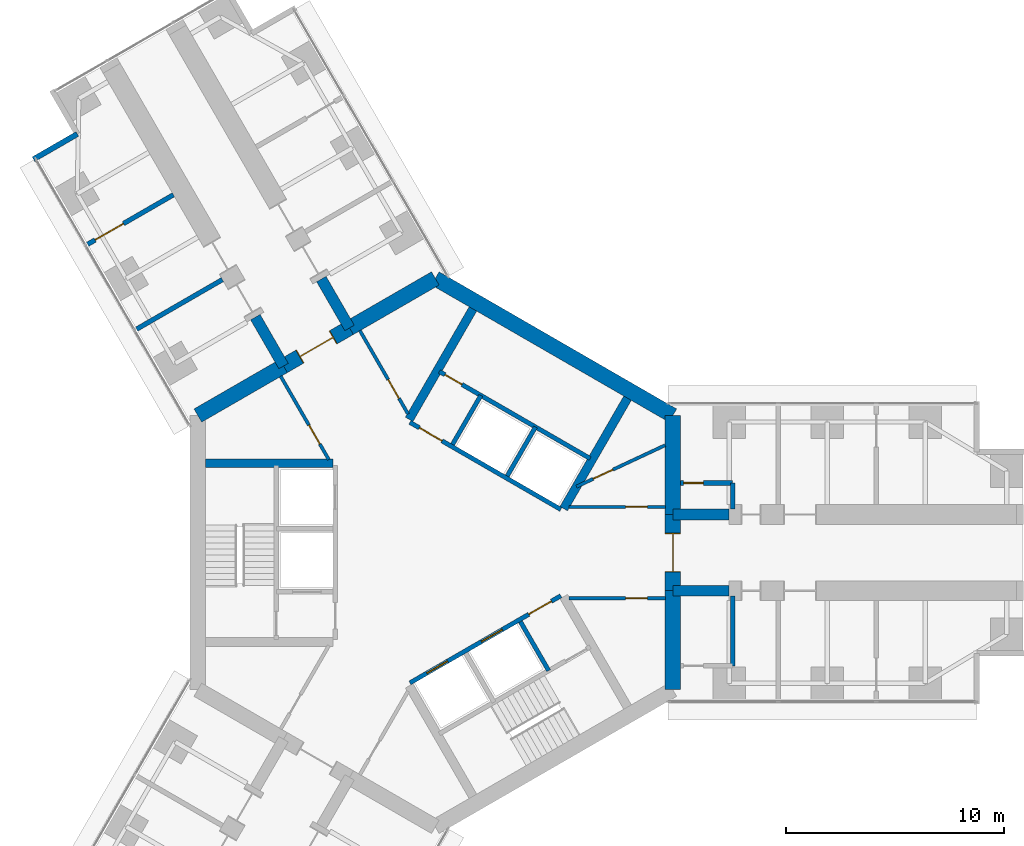
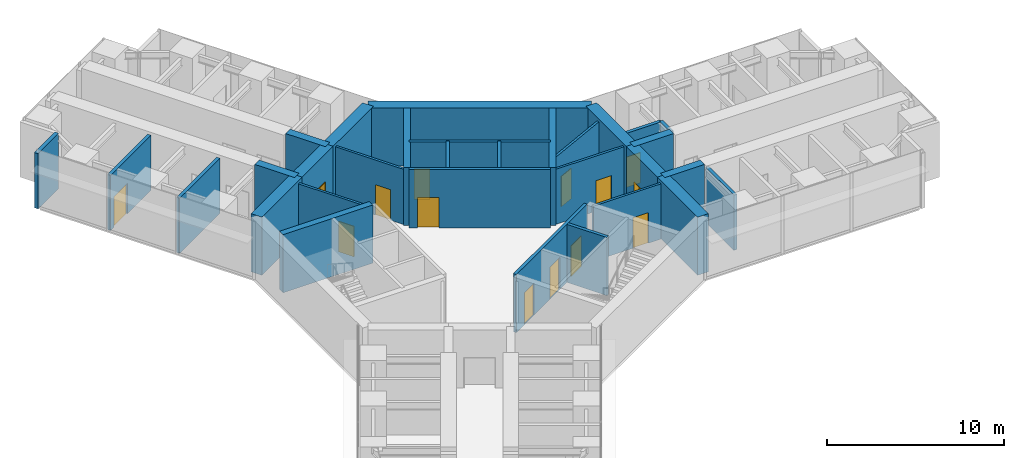
# One storey, part 17 of 22: 31 walls, 14 doors, 14 openings.
"""IFC4 building model written with IfcOpenShell, lengths in metres."""

from ifc_helpers import new_model, si_unit, direction, frame, frame_2d, origin, place, context, subcontext, project, spatial, rectangle, extrude, material, layer, layer_set, type_object, element, fill, save


model = new_model("IFC4")

# Units and contexts
model_context = context("Model", 3, precision=1e-05, world=origin(), true_north=direction((0.0, 1.0)))
body_context = subcontext(model_context, "Body", "Model", "MODEL_VIEW")
ifc_project = project(units=[si_unit("LENGTHUNIT", "METRE"), si_unit("AREAUNIT", "SQUARE_METRE"), si_unit("VOLUMEUNIT", "CUBIC_METRE"), si_unit("PLANEANGLEUNIT", "RADIAN"), si_unit("MASSUNIT", "GRAM", prefix="KILO")], contexts=[model_context])

# Site, building, storey
site_placement = place(None, origin())
site = spatial("IfcSite", under=ifc_project, at=site_placement, CompositionType="ELEMENT")
building_placement = place(site_placement, origin())
building = spatial("IfcBuilding", under=site, at=building_placement, Name="Upepo Twin Towers", CompositionType="ELEMENT")
storey_placement = place(building_placement, frame((0.0, 0.0, 44.5)))
storey = spatial("IfcBuildingStorey", under=building, at=storey_placement, Name="L10", CompositionType="ELEMENT", Elevation=44.5)

# Wall, opening, door
ifc_material_1 = material(Name="Concrete blockwork, plastered both faces", Category="masonry")
ifc_layer_1 = layer(ifc_material_1, 0.215087890625)
ifc_layer_set_1 = layer_set([ifc_layer_1], Name="Blockwork partition 215")
wall_type_1 = type_object("IfcWallType", Name="Blockwork partition 215", PredefinedType="PARTITIONING", material=ifc_layer_set_1)
wall_1_placement = place(storey_placement, frame((11.258056640625, 3.199951171875, 0.0), z_axis=(0.0, 0.0, 1.0), x_axis=(1.0, 0.0, 0.0)))
wall_1 = element("IfcWall", 1, at=wall_1_placement, inside=storey, type_object=wall_type_1, Name="T1 WC bay partition AL at 11.26", PredefinedType="PARTITIONING", context=body_context, shape_type="SweptSolid", body=[
    extrude(rectangle(XDim=2.39990234375, YDim=0.215087890625, at=frame_2d((1.199951171875, 0.0))), origin(), (0.0, 0.0, 1.0), 3.800048828125),
])
opening_1_placement = place(wall_1_placement, frame((0.14990234375, 0.0, 0.0)))
opening_1 = element("IfcOpeningElement", 2, at=opening_1_placement, cuts=wall_1, Name="Opening D14", PredefinedType="OPENING", context=body_context, shape_type="SweptSolid", body=[
    extrude(rectangle(XDim=0.89990234375, YDim=2.10009765625, at=frame_2d((0.449951171875, 1.050048828125))), frame((0.0, 0.117431640625, 0.0), z_axis=(0.0, -1.0, 0.0), x_axis=(1.0, 0.0, 0.0)), (0.0, 0.0, 1.0), 0.235107421875),
])
ifc_material_2 = material(Name="Timber doorset", Category="wood")
door_type_1 = type_object("IfcDoorType", Name="Office door 900 FD30", OperationType="SINGLE_SWING_LEFT", PredefinedType="DOOR", material=ifc_material_2)
door_1_placement = place(opening_1_placement, origin())
door_1 = element("IfcDoor", 3, at=door_1_placement, inside=storey, type_object=door_type_1, Name="T1 L10 WC bay inner room door", OperationType="SINGLE_SWING_LEFT", OverallHeight=2.10009765625, OverallWidth=0.89990234375, PredefinedType="DOOR", context=body_context, shape_type="SweptSolid", body=[
    extrude(rectangle(XDim=0.89990234375, YDim=2.10009765625, at=frame_2d((0.449951171875, 1.050048828125))), frame((0.0, 0.02490234375, 0.0), z_axis=(0.0, -1.0, 0.0), x_axis=(1.0, 0.0, 0.0)), (0.0, 0.0, 1.0), 0.050048828125),
])
fill(opening_1, door_1)

# Walls
wall_2_placement = place(storey_placement, frame((13.657958984375, 2.0, 0.0), z_axis=(0.0, 0.0, 1.0), x_axis=(0.0, 1.0, 0.0)))
element("IfcWall", 4, at=wall_2_placement, inside=storey, type_object=wall_type_1, Name="T1 WC bay partition AL end at 13.66", PredefinedType="PARTITIONING", context=body_context, shape_type="SweptSolid", body=[
    extrude(rectangle(XDim=1.199951171875, YDim=0.215087890625, at=frame_2d((0.60009765625, 0.0))), origin(), (0.0, 0.0, 1.0), 3.800048828125),
])
wall_3_placement = place(storey_placement, frame((13.657958984375, -2.0, 0.0), z_axis=(0.0, 0.0, 1.0), x_axis=(0.0, -1.0, 0.0)))
element("IfcWall", 5, at=wall_3_placement, inside=storey, type_object=wall_type_1, Name="T1 WC bay partition AR end at 13.66", PredefinedType="PARTITIONING", context=body_context, shape_type="SweptSolid", body=[
    extrude(rectangle(XDim=3.199951171875, YDim=0.215087890625, at=frame_2d((1.60009765625, 0.0))), origin(), (0.0, 0.0, 1.0), 3.800048828125),
])
wall_4_placement = place(storey_placement, frame((-9.7802734375, 12.539794921875, 0.0), z_axis=(0.0, 0.0, 1.0), x_axis=(-0.866035472144, -0.499982560684, 0.0)))
element("IfcWall", 6, at=wall_4_placement, inside=storey, type_object=wall_type_1, Name="T1 partition BL at 15.75", PredefinedType="PARTITIONING", context=body_context, shape_type="SweptSolid", body=[
    extrude(rectangle(XDim=4.550048828125, YDim=0.215087890625, at=frame_2d((2.27490234375, 0.0))), origin(), (0.0, 0.0, 1.0), 3.800048828125),
])

# Wall, opening, door
wall_5_placement = place(storey_placement, frame((-12.0302734375, 16.43701171875, 0.0), z_axis=(0.0, 0.0, 1.0), x_axis=(-0.866035472144, -0.499982560684, 0.0)))
wall_5 = element("IfcWall", 7, at=wall_5_placement, inside=storey, type_object=wall_type_1, Name="T1 partition BL at 20.25", PredefinedType="PARTITIONING", context=body_context, shape_type="SweptSolid", body=[
    extrude(rectangle(XDim=4.550048828125, YDim=0.215087890625, at=frame_2d((2.27490234375, 0.0))), origin(), (0.0, 0.0, 1.0), 3.800048828125),
])
opening_2_placement = place(wall_5_placement, frame((2.64990234375, 0.0, 0.0)))
opening_2 = element("IfcOpeningElement", 8, at=opening_2_placement, cuts=wall_5, Name="Opening D13", PredefinedType="OPENING", context=body_context, shape_type="SweptSolid", body=[
    extrude(rectangle(XDim=1.5, YDim=2.10009765625, at=frame_2d((0.75, 1.050048828125))), frame((0.0, 0.117431640625, 0.0), z_axis=(0.0, -1.0, 0.0), x_axis=(1.0, 0.0, 0.0)), (0.0, 0.0, 1.0), 0.235107421875),
])
ifc_material_3 = material(Name="Timber doorset", Category="wood")
door_type_2 = type_object("IfcDoorType", Name="Double door 1500 FD30", OperationType="DOUBLE_DOOR_SINGLE_SWING", PredefinedType="DOOR", material=ifc_material_3)
door_2_placement = place(opening_2_placement, origin())
door_2 = element("IfcDoor", 9, at=door_2_placement, inside=storey, type_object=door_type_2, Name="T1 L10 connecting door", OperationType="DOUBLE_DOOR_SINGLE_SWING", OverallHeight=2.10009765625, OverallWidth=1.5, PredefinedType="DOOR", context=body_context, shape_type="SweptSolid", body=[
    extrude(rectangle(XDim=1.5, YDim=2.10009765625, at=frame_2d((0.75, 1.050048828125))), frame((0.0, 0.02490234375, 0.0), z_axis=(0.0, -1.0, 0.0), x_axis=(1.0, 0.0, 0.0)), (0.0, 0.0, 1.0), 0.050048828125),
])
fill(opening_2, door_2)

# Walls
ifc_material_4 = material(Name="Concrete C60/75", Category="concrete")
ifc_layer_2 = layer(ifc_material_4, 0.5)
ifc_layer_set_2 = layer_set([ifc_layer_2], Name="Concrete C60/75")
wall_type_2 = type_object("IfcWallType", Name="Buttress wall 500 RC", PredefinedType="SHEAR", material=ifc_layer_set_2)
for number, where, z_axis, x_axis, name in (
    (10, (10.908447265625, 1.75, 0.0), (0.0, 0.0, 1.0), (1.0, 0.0, 0.0), "T1 wing A buttress wall L"),
    (11, (10.908447265625, -1.75, 0.0), (0.0, 0.0, 1.0), (1.0, 0.0, 0.0), "T1 wing A buttress wall R"),
):
    element("IfcWall", number, at=place(storey_placement, frame(where, z_axis=z_axis, x_axis=x_axis)), inside=storey, type_object=wall_type_2, Name=name, PredefinedType="SHEAR", context=body_context, shape_type="SweptSolid", body=[
        extrude(rectangle(XDim=2.591552734375, YDim=0.5, at=frame_2d((1.2958984375, 0.0))), origin(), (0.0, 0.0, 1.0), 4.0),
    ])
for number, where, z_axis, x_axis, name in (
    (12, (-6.9697265625, 8.57177734375, 0.0), (0.0, 0.0, 1.0), (-0.499988811324, 0.866031863473, 0.0), "T1 wing B buttress wall L"),
    (13, (-3.938720703125, 10.32177734375, 0.0), (0.0, 0.0, 1.0), (-0.499918158782, 0.866072649678, 0.0), "T1 wing B buttress wall R"),
):
    element("IfcWall", number, at=place(storey_placement, frame(where, z_axis=z_axis, x_axis=x_axis)), inside=storey, type_object=wall_type_2, Name=name, PredefinedType="SHEAR", context=body_context, shape_type="SweptSolid", body=[
        extrude(rectangle(XDim=2.591796875, YDim=0.5, at=frame_2d((1.2958984375, 0.0))), origin(), (0.0, 0.0, 1.0), 4.0),
    ])
ifc_material_5 = material(Name="Concrete C60/75", Category="concrete")
ifc_layer_3 = layer(ifc_material_5, 0.699951171875)
ifc_layer_set_3 = layer_set([ifc_layer_3], Name="Concrete C60/75")
wall_type_3 = type_object("IfcWallType", Name="Core wall 700 RC", PredefinedType="SHEAR", material=ifc_layer_set_3)
wall_6_placement = place(storey_placement, frame((10.908447265625, -6.2978515625, 0.0), z_axis=(0.0, 0.0, 1.0), x_axis=(0.0, 1.0, 0.0)))
element("IfcWall", 14, at=wall_6_placement, inside=storey, type_object=wall_type_3, Name="T1 core wall 000 R", PredefinedType="SHEAR", context=body_context, shape_type="SweptSolid", body=[
    extrude(rectangle(XDim=4.5478515625, YDim=0.699951171875, at=frame_2d((2.27392578125, 0.0))), origin(), (0.0, 0.0, 1.0), 4.0),
])

# Wall, opening, door
wall_7_placement = place(storey_placement, frame((10.908447265625, -1.75, 0.0), z_axis=(0.0, 0.0, 1.0), x_axis=(0.0, 1.0, 0.0)))
wall_7 = element("IfcWall", 15, at=wall_7_placement, inside=storey, type_object=wall_type_3, Name="T1 core wall 000", PredefinedType="SHEAR", context=body_context, shape_type="SweptSolid", body=[
    extrude(rectangle(XDim=3.5, YDim=0.699951171875, at=frame_2d((1.75, 0.0))), origin(), (0.0, 0.0, 1.0), 4.0),
])
opening_3_placement = place(wall_7_placement, frame((0.85009765625, 0.0, 0.0)))
opening_3 = element("IfcOpeningElement", 16, at=opening_3_placement, cuts=wall_7, Name="Opening D2", PredefinedType="OPENING", context=body_context, shape_type="SweptSolid", body=[
    extrude(rectangle(XDim=1.800048828125, YDim=2.10009765625, at=frame_2d((0.89990234375, 1.050048828125))), frame((0.0, 0.35986328125, 0.0), z_axis=(0.0, -1.0, 0.0), x_axis=(1.0, 0.0, 0.0)), (0.0, 0.0, 1.0), 0.719970703125),
])
ifc_material_6 = material(Name="Timber doorset", Category="wood")
door_type_3 = type_object("IfcDoorType", Name="Corridor double door 1800 FD60", OperationType="DOUBLE_DOOR_DOUBLE_SWING", PredefinedType="DOOR", material=ifc_material_6)
door_3_placement = place(opening_3_placement, origin())
door_3 = element("IfcDoor", 17, at=door_3_placement, inside=storey, type_object=door_type_3, Name="T1 L10 wing A corridor door", OperationType="DOUBLE_DOOR_DOUBLE_SWING", OverallHeight=2.10009765625, OverallWidth=1.800048828125, PredefinedType="DOOR", context=body_context, shape_type="SweptSolid", body=[
    extrude(rectangle(XDim=1.720048828125, YDim=2.06009765625, at=frame_2d((0.89990234375, 1.030029296875))), frame((0.0, 0.02490234375, 0.0), z_axis=(0.0, -1.0, 0.0), x_axis=(1.0, 0.0, 0.0)), (0.0, 0.0, 1.0), 0.050048828125),
    extrude(rectangle(XDim=0.04, YDim=2.10009765625, at=frame_2d((0.02001953125, 1.050048828125))), frame((0.0, 0.349609375, 0.0), z_axis=(0.0, -1.0, 0.0), x_axis=(1.0, 0.0, 0.0)), (0.0, 0.0, 1.0), 0.699462890625),
    extrude(rectangle(XDim=0.04, YDim=2.10009765625, at=frame_2d((1.780029296875, 1.050048828125))), frame((0.0, 0.349609375, 0.0), z_axis=(0.0, -1.0, 0.0), x_axis=(1.0, 0.0, 0.0)), (0.0, 0.0, 1.0), 0.699462890625),
    extrude(rectangle(XDim=1.720048828125, YDim=0.04, at=frame_2d((0.89990234375, 2.080078125))), frame((0.0, 0.349609375, 0.0), z_axis=(0.0, -1.0, 0.0), x_axis=(1.0, 0.0, 0.0)), (0.0, 0.0, 1.0), 0.699462890625),
])
fill(opening_3, door_3)

# Walls
wall_8_placement = place(storey_placement, frame((10.908447265625, 1.75, 0.0), z_axis=(0.0, 0.0, 1.0), x_axis=(0.0, 1.0, 0.0)))
element("IfcWall", 18, at=wall_8_placement, inside=storey, type_object=wall_type_3, Name="T1 core wall 000 L", PredefinedType="SHEAR", context=body_context, shape_type="SweptSolid", body=[
    extrude(rectangle(XDim=4.5478515625, YDim=0.699951171875, at=frame_2d((2.27392578125, 0.0))), origin(), (0.0, 0.0, 1.0), 4.0),
])
wall_9_placement = place(storey_placement, frame((10.908447265625, 6.2978515625, 0.0), z_axis=(0.0, 0.0, 1.0), x_axis=(-0.866021940709, 0.500005998175, 0.0)))
element("IfcWall", 19, at=wall_9_placement, inside=storey, type_object=wall_type_3, Name="T1 core wall 060", PredefinedType="SHEAR", context=body_context, shape_type="SweptSolid", body=[
    extrude(rectangle(XDim=12.595947265625, YDim=0.699951171875, at=frame_2d((6.2978515625, 0.0))), origin(), (0.0, 0.0, 1.0), 4.0),
])
wall_10_placement = place(storey_placement, frame((0.0, 12.595947265625, 0.0), z_axis=(0.0, 0.0, 1.0), x_axis=(-0.866011268655, -0.500024481964, 0.0)))
element("IfcWall", 20, at=wall_10_placement, inside=storey, type_object=wall_type_3, Name="T1 core wall 120 R", PredefinedType="SHEAR", context=body_context, shape_type="SweptSolid", body=[
    extrude(rectangle(XDim=4.548095703125, YDim=0.699951171875, at=frame_2d((2.27392578125, 0.0))), origin(), (0.0, 0.0, 1.0), 4.0),
])

# Wall, opening, door
wall_11_placement = place(storey_placement, frame((-3.938720703125, 10.32177734375, 0.0), z_axis=(0.0, 0.0, 1.0), x_axis=(-0.866019471182, -0.500010275428, 0.0)))
wall_11 = element("IfcWall", 21, at=wall_11_placement, inside=storey, type_object=wall_type_3, Name="T1 core wall 120", PredefinedType="SHEAR", context=body_context, shape_type="SweptSolid", body=[
    extrude(rectangle(XDim=3.5, YDim=0.699951171875, at=frame_2d((1.75, 0.0))), origin(), (0.0, 0.0, 1.0), 4.0),
])
opening_4_placement = place(wall_11_placement, frame((0.85009765625, 0.0, 0.0)))
opening_4 = element("IfcOpeningElement", 22, at=opening_4_placement, cuts=wall_11, Name="Opening D2", PredefinedType="OPENING", context=body_context, shape_type="SweptSolid", body=[
    extrude(rectangle(XDim=1.800048828125, YDim=2.10009765625, at=frame_2d((0.89990234375, 1.050048828125))), frame((0.0, 0.35986328125, 0.0), z_axis=(0.0, -1.0, 0.0), x_axis=(1.0, 0.0, 0.0)), (0.0, 0.0, 1.0), 0.719970703125),
])
door_4_placement = place(opening_4_placement, origin())
door_4 = element("IfcDoor", 23, at=door_4_placement, inside=storey, type_object=door_type_3, Name="T1 L10 wing B corridor door", OperationType="DOUBLE_DOOR_DOUBLE_SWING", OverallHeight=2.10009765625, OverallWidth=1.800048828125, PredefinedType="DOOR", context=body_context, shape_type="SweptSolid", body=[
    extrude(rectangle(XDim=1.720048828125, YDim=2.06009765625, at=frame_2d((0.89990234375, 1.030029296875))), frame((0.0, 0.02490234375, 0.0), z_axis=(0.0, -1.0, 0.0), x_axis=(1.0, 0.0, 0.0)), (0.0, 0.0, 1.0), 0.050048828125),
    extrude(rectangle(XDim=0.04, YDim=2.10009765625, at=frame_2d((0.02001953125, 1.050048828125))), frame((0.0, 0.349609375, 0.0), z_axis=(0.0, -1.0, 0.0), x_axis=(1.0, 0.0, 0.0)), (0.0, 0.0, 1.0), 0.699462890625),
    extrude(rectangle(XDim=0.04, YDim=2.10009765625, at=frame_2d((1.780029296875, 1.050048828125))), frame((0.0, 0.349609375, 0.0), z_axis=(0.0, -1.0, 0.0), x_axis=(1.0, 0.0, 0.0)), (0.0, 0.0, 1.0), 0.699462890625),
    extrude(rectangle(XDim=1.720048828125, YDim=0.04, at=frame_2d((0.89990234375, 2.080078125))), frame((0.0, 0.349609375, 0.0), z_axis=(0.0, -1.0, 0.0), x_axis=(1.0, 0.0, 0.0)), (0.0, 0.0, 1.0), 0.699462890625),
])
fill(opening_4, door_4)

# Walls
wall_12_placement = place(storey_placement, frame((-6.9697265625, 8.57177734375, 0.0), z_axis=(0.0, 0.0, 1.0), x_axis=(-0.866034513004, -0.499984222037, 0.0)))
element("IfcWall", 24, at=wall_12_placement, inside=storey, type_object=wall_type_3, Name="T1 core wall 120 L", PredefinedType="SHEAR", context=body_context, shape_type="SweptSolid", body=[
    extrude(rectangle(XDim=4.548095703125, YDim=0.699951171875, at=frame_2d((2.27392578125, 0.0))), origin(), (0.0, 0.0, 1.0), 4.0),
])
ifc_material_7 = material(Name="Blockwork with anodised aluminium cladding", Category="masonry")
ifc_layer_4 = layer(ifc_material_7, 0.25)
ifc_layer_set_4 = layer_set([ifc_layer_4], Name="Notch cladding wall 250, pale metal")
wall_type_4 = type_object("IfcWallType", Name="Notch cladding wall 250, pale metal", PredefinedType="STANDARD", material=ifc_layer_set_4)
wall_13_placement = place(storey_placement, frame((-18.456298828125, 18.0673828125, 0.0), z_axis=(0.0, 0.0, 1.0), x_axis=(0.865998469481, 0.500046648681, 0.0)))
element("IfcWall", 25, at=wall_13_placement, inside=storey, type_object=wall_type_4, Name="T1 L10 wing B notch wall L1", PredefinedType="STANDARD", context=body_context, shape_type="SweptSolid", body=[
    extrude(rectangle(XDim=2.324951171875, YDim=0.25, at=frame_2d((1.16259765625, 0.0))), origin(), (0.0, 0.0, 1.0), 3.800048828125),
])

# Wall, opening, door
ifc_material_8 = material(Name="Concrete C40/50", Category="concrete")
ifc_layer_5 = layer(ifc_material_8, 0.199951171875)
ifc_layer_set_5 = layer_set([ifc_layer_5], Name="Concrete C40/50")
wall_type_5 = type_object("IfcWallType", Name="Shaft wall 200 RC", PredefinedType="SHEAR", material=ifc_layer_set_5)
wall_14_placement = place(storey_placement, frame((5.76416015625, 1.983642578125, 0.0), z_axis=(0.0, 0.0, 1.0), x_axis=(-0.866026010844, 0.49999894854, 0.0)))
wall_14 = element("IfcWall", 26, at=wall_14_placement, inside=storey, type_object=wall_type_5, Name="T1 core W60 front wall", PredefinedType="SHEAR", context=body_context, shape_type="SweptSolid", body=[
    extrude(rectangle(XDim=8.0, YDim=0.199951171875, at=frame_2d((4.0, 0.0))), origin(), (0.0, 0.0, 1.0), 4.0),
])
opening_5_placement = place(wall_14_placement, frame((6.300048828125, 0.0, 0.0)))
opening_5 = element("IfcOpeningElement", 27, at=opening_5_placement, cuts=wall_14, Name="Opening D4", PredefinedType="OPENING", context=body_context, shape_type="SweptSolid", body=[
    extrude(rectangle(XDim=1.199951171875, YDim=2.10009765625, at=frame_2d((0.60009765625, 1.050048828125))), frame((0.0, 0.10986328125, 0.0), z_axis=(0.0, -1.0, 0.0), x_axis=(1.0, 0.0, 0.0)), (0.0, 0.0, 1.0), 0.219970703125),
])
ifc_material_9 = material(Name="Timber doorset", Category="wood")
door_type_4 = type_object("IfcDoorType", Name="Lobby door 1200 FD60", OperationType="SINGLE_SWING_LEFT", PredefinedType="DOOR", material=ifc_material_9)
door_5_placement = place(opening_5_placement, origin())
door_5 = element("IfcDoor", 28, at=door_5_placement, inside=storey, type_object=door_type_4, Name="T1 L10 W60 lobby door", OperationType="SINGLE_SWING_RIGHT", OverallHeight=2.10009765625, OverallWidth=1.199951171875, PredefinedType="DOOR", context=body_context, shape_type="SweptSolid", body=[
    extrude(rectangle(XDim=1.199951171875, YDim=2.10009765625, at=frame_2d((0.60009765625, 1.050048828125))), frame((0.0, 0.02490234375, 0.0), z_axis=(0.0, -1.0, 0.0), x_axis=(1.0, 0.0, 0.0)), (0.0, 0.0, 1.0), 0.050048828125),
])
fill(opening_5, door_5)

# Walls
for number, where, z_axis, x_axis, name in (
    (29, (3.302734375, 3.520263671875, 0.0), (0.0, 0.0, 1.0), (0.499936506574, 0.866062058628, 0.0), "T1 core W60 shaft divider"),
    (30, (0.791259765625, 4.97021484375, 0.0), (0.0, 0.0, 1.0), (0.499936506574, 0.866062058628, 0.0), "T1 core W60 lobby wall"),
):
    element("IfcWall", number, at=place(storey_placement, frame(where, z_axis=z_axis, x_axis=x_axis)), inside=storey, type_object=wall_type_5, Name=name, PredefinedType="SHEAR", context=body_context, shape_type="SweptSolid", body=[
        extrude(rectangle(XDim=2.599853515625, YDim=0.199951171875, at=frame_2d((1.2998046875, 0.0))), origin(), (0.0, 0.0, 1.0), 4.0),
    ])

# Wall, opening, door
wall_15_placement = place(storey_placement, frame((7.114013671875, 4.322021484375, 0.0), z_axis=(0.0, 0.0, 1.0), x_axis=(-0.866026010844, 0.49999894854, 0.0)))
wall_15 = element("IfcWall", 31, at=wall_15_placement, inside=storey, type_object=wall_type_5, Name="T1 core W60 stair wall", PredefinedType="SHEAR", context=body_context, shape_type="SweptSolid", body=[
    extrude(rectangle(XDim=8.0, YDim=0.199951171875, at=frame_2d((4.0, 0.0))), origin(), (0.0, 0.0, 1.0), 4.0),
])
opening_6_placement = place(wall_15_placement, frame((6.800048828125, 0.0, 0.0)))
opening_6 = element("IfcOpeningElement", 32, at=opening_6_placement, cuts=wall_15, Name="Opening D9", PredefinedType="OPENING", context=body_context, shape_type="SweptSolid", body=[
    extrude(rectangle(XDim=0.89990234375, YDim=2.10009765625, at=frame_2d((0.449951171875, 1.050048828125))), frame((0.0, 0.10986328125, 0.0), z_axis=(0.0, -1.0, 0.0), x_axis=(1.0, 0.0, 0.0)), (0.0, 0.0, 1.0), 0.219970703125),
])
ifc_material_10 = material(Name="Timber doorset", Category="wood")
door_type_5 = type_object("IfcDoorType", Name="Riser door 900 FD60", OperationType="SINGLE_SWING_LEFT", PredefinedType="DOOR", material=ifc_material_10)
door_6_placement = place(opening_6_placement, origin())
door_6 = element("IfcDoor", 33, at=door_6_placement, inside=storey, type_object=door_type_5, Name="T1 L10 riser door", OperationType="SINGLE_SWING_RIGHT", OverallHeight=2.10009765625, OverallWidth=0.89990234375, PredefinedType="DOOR", context=body_context, shape_type="SweptSolid", body=[
    extrude(rectangle(XDim=0.89990234375, YDim=2.10009765625, at=frame_2d((0.449951171875, 1.050048828125))), frame((0.0, 0.02490234375, 0.0), z_axis=(0.0, -1.0, 0.0), x_axis=(1.0, 0.0, 0.0)), (0.0, 0.0, 1.0), 0.050048828125),
])
fill(opening_6, door_6)

# Wall, openings, doors
wall_16_placement = place(storey_placement, frame((-1.1640625, -5.983642578125, 0.0), z_axis=(0.0, 0.0, 1.0), x_axis=(0.866026010844, 0.49999894854, 0.0)))
wall_16 = element("IfcWall", 34, at=wall_16_placement, inside=storey, type_object=wall_type_5, Name="T1 core W300 front wall", PredefinedType="SHEAR", context=body_context, shape_type="SweptSolid", body=[
    extrude(rectangle(XDim=8.0, YDim=0.199951171875, at=frame_2d((4.0, 0.0))), origin(), (0.0, 0.0, 1.0), 4.0),
])
opening_7_placement = place(wall_16_placement, frame((6.300048828125, 0.0, 0.0)))
opening_7 = element("IfcOpeningElement", 35, at=opening_7_placement, cuts=wall_16, Name="Opening D4", PredefinedType="OPENING", context=body_context, shape_type="SweptSolid", body=[
    extrude(rectangle(XDim=1.199951171875, YDim=2.10009765625, at=frame_2d((0.60009765625, 1.050048828125))), frame((0.0, 0.10986328125, 0.0), z_axis=(0.0, -1.0, 0.0), x_axis=(1.0, 0.0, 0.0)), (0.0, 0.0, 1.0), 0.219970703125),
])
opening_8_placement = place(wall_16_placement, frame((0.89990234375, 0.0, 0.0)))
opening_8 = element("IfcOpeningElement", 36, at=opening_8_placement, cuts=wall_16, Name="Opening LD1", PredefinedType="OPENING", context=body_context, shape_type="SweptSolid", body=[
    extrude(rectangle(XDim=1.10009765625, YDim=2.199951171875, at=frame_2d((0.550048828125, 1.10009765625))), frame((0.0, 0.10986328125, 0.0), z_axis=(0.0, -1.0, 0.0), x_axis=(1.0, 0.0, 0.0)), (0.0, 0.0, 1.0), 0.219970703125),
])
opening_9_placement = place(wall_16_placement, frame((3.800048828125, 0.0, 0.0)))
opening_9 = element("IfcOpeningElement", 37, at=opening_9_placement, cuts=wall_16, Name="Opening LD1", PredefinedType="OPENING", context=body_context, shape_type="SweptSolid", body=[
    extrude(rectangle(XDim=1.10009765625, YDim=2.199951171875, at=frame_2d((0.550048828125, 1.10009765625))), frame((0.0, 0.10986328125, 0.0), z_axis=(0.0, -1.0, 0.0), x_axis=(1.0, 0.0, 0.0)), (0.0, 0.0, 1.0), 0.219970703125),
])
ifc_material_11 = material(Name="Steel doorset", Category="steel")
door_type_6 = type_object("IfcDoorType", Name="Lift landing door 1100", OperationType="DOUBLE_DOOR_SLIDING", PredefinedType="DOOR", material=ifc_material_11)
door_7_placement = place(opening_8_placement, origin())
door_7 = element("IfcDoor", 38, at=door_7_placement, inside=storey, type_object=door_type_6, Name="T1 L10 lift LL1 landing door", OperationType="DOUBLE_DOOR_SLIDING", OverallHeight=2.199951171875, OverallWidth=1.10009765625, PredefinedType="DOOR", context=body_context, shape_type="SweptSolid", body=[
    extrude(rectangle(XDim=1.10009765625, YDim=2.199951171875, at=frame_2d((0.550048828125, 1.10009765625))), frame((0.0, 0.02490234375, 0.0), z_axis=(0.0, -1.0, 0.0), x_axis=(1.0, 0.0, 0.0)), (0.0, 0.0, 1.0), 0.050048828125),
])
fill(opening_8, door_7)
door_8_placement = place(opening_9_placement, origin())
door_8 = element("IfcDoor", 39, at=door_8_placement, inside=storey, type_object=door_type_6, Name="T1 L10 lift LL2 landing door", OperationType="DOUBLE_DOOR_SLIDING", OverallHeight=2.199951171875, OverallWidth=1.10009765625, PredefinedType="DOOR", context=body_context, shape_type="SweptSolid", body=[
    extrude(rectangle(XDim=1.10009765625, YDim=2.199951171875, at=frame_2d((0.550048828125, 1.10009765625))), frame((0.0, 0.02490234375, 0.0), z_axis=(0.0, -1.0, 0.0), x_axis=(1.0, 0.0, 0.0)), (0.0, 0.0, 1.0), 0.050048828125),
])
fill(opening_9, door_8)
door_9_placement = place(opening_7_placement, origin())
door_9 = element("IfcDoor", 40, at=door_9_placement, inside=storey, type_object=door_type_4, Name="T1 L10 W300 lobby door", OperationType="SINGLE_SWING_RIGHT", OverallHeight=2.10009765625, OverallWidth=1.199951171875, PredefinedType="DOOR", context=body_context, shape_type="SweptSolid", body=[
    extrude(rectangle(XDim=1.199951171875, YDim=2.10009765625, at=frame_2d((0.60009765625, 1.050048828125))), frame((0.0, 0.02490234375, 0.0), z_axis=(0.0, -1.0, 0.0), x_axis=(1.0, 0.0, 0.0)), (0.0, 0.0, 1.0), 0.050048828125),
])
fill(opening_7, door_9)

# Walls
wall_17_placement = place(storey_placement, frame((3.908935546875, -3.17041015625, 0.0), z_axis=(0.0, 0.0, 1.0), x_axis=(0.49997716683, -0.86603858612, 0.0)))
element("IfcWall", 41, at=wall_17_placement, inside=storey, type_object=wall_type_5, Name="T1 core W300 lobby wall", PredefinedType="SHEAR", context=body_context, shape_type="SweptSolid", body=[
    extrude(rectangle(XDim=2.599609375, YDim=0.199951171875, at=frame_2d((1.2998046875, 0.0))), origin(), (0.0, 0.0, 1.0), 4.0),
])
ifc_material_12 = material(Name="Concrete C40/50", Category="concrete")
ifc_layer_6 = layer(ifc_material_12, 0.39990234375)
ifc_layer_set_6 = layer_set([ifc_layer_6], Name="Concrete C40/50")
wall_type_6 = type_object("IfcWallType", Name="Shaft wall 400 RC", PredefinedType="SHEAR", material=ifc_layer_set_6)
for number, where, z_axis, x_axis, name in (
    (42, (-1.20068359375, 6.120361328125, 0.0), (0.0, 0.0, 1.0), (0.500002627198, 0.866023886965, 0.0), "T1 core W60 side wall N"),
    (43, (5.900634765625, 2.020263671875, 0.0), (0.0, 0.0, 1.0), (0.500002627198, 0.866023886965, 0.0), "T1 core W60 side wall S"),
    (44, (-4.699951171875, 4.10009765625, 0.0), (0.0, 0.0, 1.0), (-1.0, 0.0, 0.0), "T1 core W180 side wall S"),
):
    element("IfcWall", number, at=place(storey_placement, frame(where, z_axis=z_axis, x_axis=x_axis)), inside=storey, type_object=wall_type_6, Name=name, PredefinedType="SHEAR", context=body_context, shape_type="SweptSolid", body=[
        extrude(rectangle(XDim=5.8583984375, YDim=0.39990234375, at=frame_2d((2.92919921875, 0.0))), origin(), (0.0, 0.0, 1.0), 4.0),
    ])

# Wall, opening, door
ifc_material_13 = material(Name="Gypsum board on steel studs", Category="steel")
ifc_layer_7 = layer(ifc_material_13, 0.14990234375)
ifc_layer_set_7 = layer_set([ifc_layer_7], Name="Teaching partition 150 acoustic")
wall_type_7 = type_object("IfcWallType", Name="Teaching partition 150 acoustic", PredefinedType="PARTITIONING", material=ifc_layer_set_7)
wall_18_placement = place(storey_placement, frame((-4.889892578125, 4.269775390625, 0.0), z_axis=(0.0, 0.0, 1.0), x_axis=(-0.500007369519, 0.866021148949, 0.0)))
wall_18 = element("IfcWall", 45, at=wall_18_placement, inside=storey, type_object=wall_type_7, Name="T1 core room partition 3", PredefinedType="PARTITIONING", context=body_context, shape_type="SweptSolid", body=[
    extrude(rectangle(XDim=4.42578125, YDim=0.14990234375, at=frame_2d((2.212890625, 0.0))), origin(), (0.0, 0.0, 1.0), 3.800048828125),
])
opening_10_placement = place(wall_18_placement, frame((0.82763671875, 0.0, 0.0)))
opening_10 = element("IfcOpeningElement", 46, at=opening_10_placement, cuts=wall_18, Name="Opening D1", PredefinedType="OPENING", context=body_context, shape_type="SweptSolid", body=[
    extrude(rectangle(XDim=1.0, YDim=2.10009765625, at=frame_2d((0.5, 1.050048828125))), frame((0.0, 0.0849609375, 0.0), z_axis=(0.0, -1.0, 0.0), x_axis=(1.0, 0.0, 0.0)), (0.0, 0.0, 1.0), 0.169921875),
])
ifc_material_14 = material(Name="Timber doorset", Category="wood")
door_type_7 = type_object("IfcDoorType", Name="Room door 1000 FD30", OperationType="SINGLE_SWING_LEFT", PredefinedType="DOOR", material=ifc_material_14)
door_10_placement = place(opening_10_placement, origin())
door_10 = element("IfcDoor", 47, at=door_10_placement, inside=storey, type_object=door_type_7, Name="T1 L10 core room door K7", OperationType="SINGLE_SWING_LEFT", OverallHeight=2.10009765625, OverallWidth=1.0, PredefinedType="DOOR", context=body_context, shape_type="SweptSolid", body=[
    extrude(rectangle(XDim=1.0, YDim=2.10009765625, at=frame_2d((0.5, 1.050048828125))), frame((0.0, 0.02490234375, 0.0), z_axis=(0.0, -1.0, 0.0), x_axis=(1.0, 0.0, 0.0)), (0.0, 0.0, 1.0), 0.050048828125),
])
fill(opening_10, door_10)

wall_19_placement = place(storey_placement, frame((-3.465576171875, 10.202392578125, 0.0), z_axis=(0.0, 0.0, 1.0), x_axis=(0.500007369519, -0.866021148949, 0.0)))
wall_19 = element("IfcWall", 48, at=wall_19_placement, inside=storey, type_object=wall_type_7, Name="T1 core room partition 4", PredefinedType="PARTITIONING", context=body_context, shape_type="SweptSolid", body=[
    extrude(rectangle(XDim=4.42578125, YDim=0.14990234375, at=frame_2d((2.212890625, 0.0))), origin(), (0.0, 0.0, 1.0), 3.800048828125),
])
opening_11_placement = place(wall_19_placement, frame((2.597900390625, 0.0, 0.0)))
opening_11 = element("IfcOpeningElement", 49, at=opening_11_placement, cuts=wall_19, Name="Opening D1", PredefinedType="OPENING", context=body_context, shape_type="SweptSolid", body=[
    extrude(rectangle(XDim=1.0, YDim=2.10009765625, at=frame_2d((0.5, 1.050048828125))), frame((0.0, 0.0849609375, 0.0), z_axis=(0.0, -1.0, 0.0), x_axis=(1.0, 0.0, 0.0)), (0.0, 0.0, 1.0), 0.169921875),
])
door_11_placement = place(opening_11_placement, origin())
door_11 = element("IfcDoor", 50, at=door_11_placement, inside=storey, type_object=door_type_7, Name="T1 L10 core room door K6", OperationType="SINGLE_SWING_RIGHT", OverallHeight=2.10009765625, OverallWidth=1.0, PredefinedType="DOOR", context=body_context, shape_type="SweptSolid", body=[
    extrude(rectangle(XDim=1.0, YDim=2.10009765625, at=frame_2d((0.5, 1.050048828125))), frame((0.0, 0.02490234375, 0.0), z_axis=(0.0, -1.0, 0.0), x_axis=(1.0, 0.0, 0.0)), (0.0, 0.0, 1.0), 0.050048828125),
])
fill(opening_11, door_11)

wall_20_placement = place(storey_placement, frame((6.142578125, 2.10009765625, 0.0), z_axis=(0.0, 0.0, 1.0), x_axis=(1.0, 0.0, 0.0)))
wall_20 = element("IfcWall", 51, at=wall_20_placement, inside=storey, type_object=wall_type_7, Name="T1 core room partition 5", PredefinedType="PARTITIONING", context=body_context, shape_type="SweptSolid", body=[
    extrude(rectangle(XDim=4.42578125, YDim=0.14990234375, at=frame_2d((2.212890625, 0.0))), origin(), (0.0, 0.0, 1.0), 3.800048828125),
])
opening_12_placement = place(wall_20_placement, frame((2.597900390625, 0.0, 0.0)))
opening_12 = element("IfcOpeningElement", 52, at=opening_12_placement, cuts=wall_20, Name="Opening D1", PredefinedType="OPENING", context=body_context, shape_type="SweptSolid", body=[
    extrude(rectangle(XDim=1.0, YDim=2.10009765625, at=frame_2d((0.5, 1.050048828125))), frame((0.0, 0.0849609375, 0.0), z_axis=(0.0, -1.0, 0.0), x_axis=(1.0, 0.0, 0.0)), (0.0, 0.0, 1.0), 0.169921875),
])
door_12_placement = place(opening_12_placement, origin())
door_12 = element("IfcDoor", 53, at=door_12_placement, inside=storey, type_object=door_type_7, Name="T1 L10 core room door K4", OperationType="SINGLE_SWING_RIGHT", OverallHeight=2.10009765625, OverallWidth=1.0, PredefinedType="DOOR", context=body_context, shape_type="SweptSolid", body=[
    extrude(rectangle(XDim=1.0, YDim=2.10009765625, at=frame_2d((0.5, 1.050048828125))), frame((0.0, 0.02490234375, 0.0), z_axis=(0.0, -1.0, 0.0), x_axis=(1.0, 0.0, 0.0)), (0.0, 0.0, 1.0), 0.050048828125),
])
fill(opening_12, door_12)

wall_21_placement = place(storey_placement, frame((10.568359375, -2.10009765625, 0.0), z_axis=(0.0, 0.0, 1.0), x_axis=(-1.0, 0.0, 0.0)))
wall_21 = element("IfcWall", 54, at=wall_21_placement, inside=storey, type_object=wall_type_7, Name="T1 core room partition 6", PredefinedType="PARTITIONING", context=body_context, shape_type="SweptSolid", body=[
    extrude(rectangle(XDim=4.42578125, YDim=0.14990234375, at=frame_2d((2.212890625, 0.0))), origin(), (0.0, 0.0, 1.0), 3.800048828125),
])
opening_13_placement = place(wall_21_placement, frame((0.82763671875, 0.0, 0.0)))
opening_13 = element("IfcOpeningElement", 55, at=opening_13_placement, cuts=wall_21, Name="Opening D1", PredefinedType="OPENING", context=body_context, shape_type="SweptSolid", body=[
    extrude(rectangle(XDim=1.0, YDim=2.10009765625, at=frame_2d((0.5, 1.050048828125))), frame((0.0, 0.0849609375, 0.0), z_axis=(0.0, -1.0, 0.0), x_axis=(1.0, 0.0, 0.0)), (0.0, 0.0, 1.0), 0.169921875),
])
door_13_placement = place(opening_13_placement, origin())
door_13 = element("IfcDoor", 56, at=door_13_placement, inside=storey, type_object=door_type_7, Name="T1 L10 core room door K3", OperationType="SINGLE_SWING_LEFT", OverallHeight=2.10009765625, OverallWidth=1.0, PredefinedType="DOOR", context=body_context, shape_type="SweptSolid", body=[
    extrude(rectangle(XDim=1.0, YDim=2.10009765625, at=frame_2d((0.5, 1.050048828125))), frame((0.0, 0.02490234375, 0.0), z_axis=(0.0, -1.0, 0.0), x_axis=(1.0, 0.0, 0.0)), (0.0, 0.0, 1.0), 0.050048828125),
])
fill(opening_13, door_13)

wall_22_placement = place(storey_placement, frame((6.4833984375, 3.029541015625, 0.0), z_axis=(0.0, 0.0, 1.0), x_axis=(0.905977801603, 0.423325197694, 0.0)))
wall_22 = element("IfcWall", 57, at=wall_22_placement, inside=storey, type_object=wall_type_7, Name="T1 core room partition 7", PredefinedType="PARTITIONING", context=body_context, shape_type="SweptSolid", body=[
    extrude(rectangle(XDim=4.497802734375, YDim=0.14990234375, at=frame_2d((2.2490234375, 0.0))), origin(), (0.0, 0.0, 1.0), 3.800048828125),
])
opening_14_placement = place(wall_22_placement, frame((0.849365234375, 0.0, 0.0)))
opening_14 = element("IfcOpeningElement", 58, at=opening_14_placement, cuts=wall_22, Name="Opening D1", PredefinedType="OPENING", context=body_context, shape_type="SweptSolid", body=[
    extrude(rectangle(XDim=1.0, YDim=2.10009765625, at=frame_2d((0.5, 1.050048828125))), frame((0.0, 0.0849609375, 0.0), z_axis=(0.0, -1.0, 0.0), x_axis=(1.0, 0.0, 0.0)), (0.0, 0.0, 1.0), 0.169921875),
])
door_14_placement = place(opening_14_placement, origin())
door_14 = element("IfcDoor", 59, at=door_14_placement, inside=storey, type_object=door_type_7, Name="T1 L10 core room door K5", OperationType="SINGLE_SWING_LEFT", OverallHeight=2.10009765625, OverallWidth=1.0, PredefinedType="DOOR", context=body_context, shape_type="SweptSolid", body=[
    extrude(rectangle(XDim=1.0, YDim=2.10009765625, at=frame_2d((0.5, 1.050048828125))), frame((0.0, 0.02490234375, 0.0), z_axis=(0.0, -1.0, 0.0), x_axis=(1.0, 0.0, 0.0)), (0.0, 0.0, 1.0), 0.050048828125),
])
fill(opening_14, door_14)

save(model, "model.ifc")
